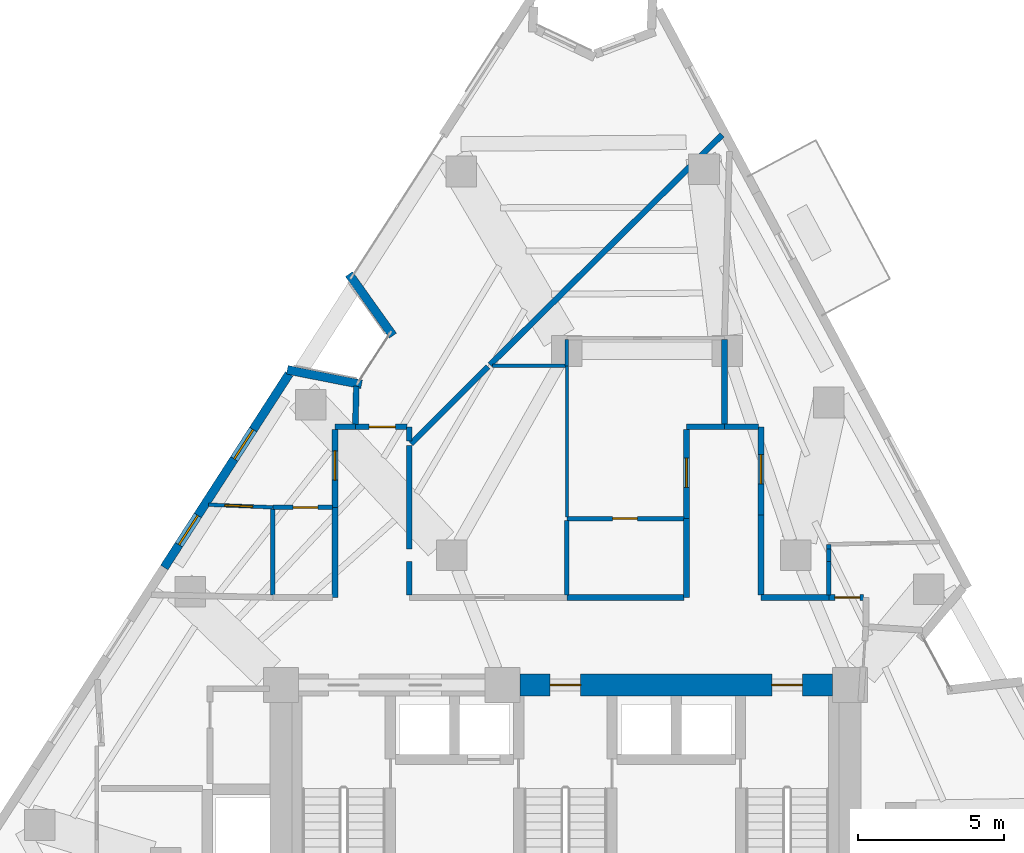
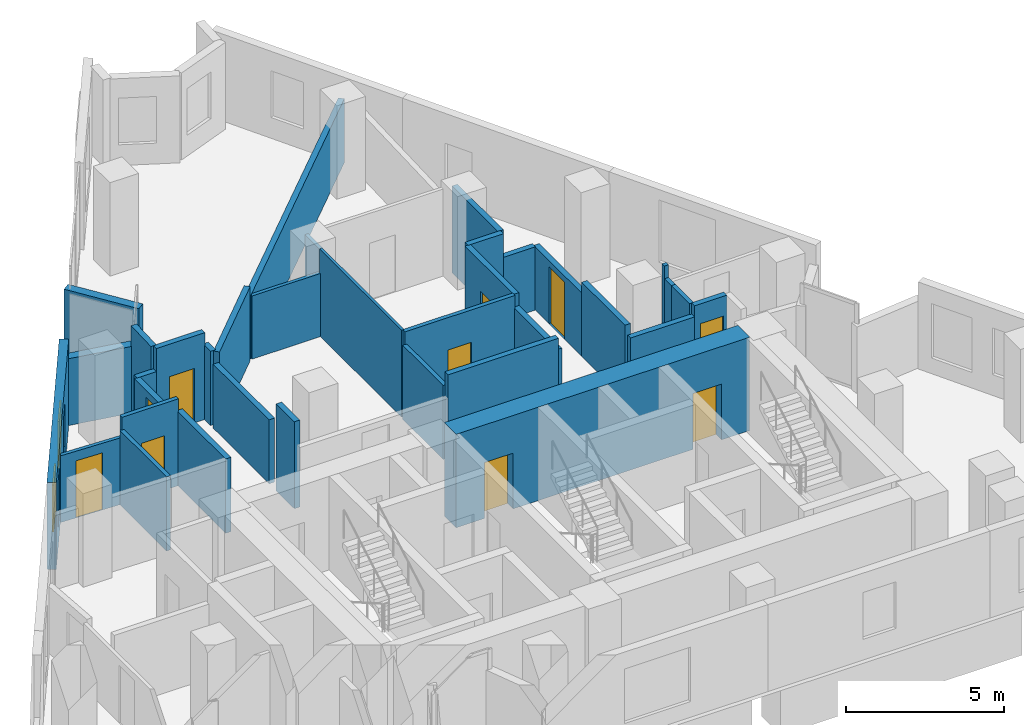
# One storey, part 8 of 11: 35 walls, 10 doors, 2 windows, 12 openings.
"""IFC4 building model written with IfcOpenShell, lengths in metres."""

from ifc_helpers import new_model, si_unit, direction, frame, frame_2d, origin, place, context, subcontext, project, spatial, rectangle, extrude, material, layer, layer_set, type_object, element, fill, save


model = new_model("IFC4")

# Units and contexts
model_context = context("Model", 3, precision=1e-05, world=origin(), true_north=direction((0.0, 1.0)))
body_context = subcontext(model_context, "Body", "Model", "MODEL_VIEW")
ifc_project = project(units=[si_unit("LENGTHUNIT", "METRE"), si_unit("AREAUNIT", "SQUARE_METRE"), si_unit("VOLUMEUNIT", "CUBIC_METRE"), si_unit("PLANEANGLEUNIT", "RADIAN"), si_unit("MASSUNIT", "GRAM", prefix="KILO")], contexts=[model_context])

# Site, building, storey
site_placement = place(None, origin())
site = spatial("IfcSite", under=ifc_project, at=site_placement, CompositionType="ELEMENT")
building_placement = place(site_placement, origin())
building = spatial("IfcBuilding", under=site, at=building_placement, Name="Almagre Mirador Tower", CompositionType="ELEMENT")
storey_placement = place(building_placement, frame((0.0, 0.0, 175.199951171875)))
storey = spatial("IfcBuildingStorey", under=building, at=storey_placement, Name="L45", CompositionType="ELEMENT", Elevation=175.199951171875)

# Walls
ifc_material_1 = material(Name="Precast concrete C50/60", Category="concrete")
ifc_layer_1 = layer(ifc_material_1, 0.300048828125)
ifc_layer_set_1 = layer_set([ifc_layer_1], Name="Precast concrete C50/60")
wall_type_1 = type_object("IfcWallType", Name="WAL-EXT-300", PredefinedType="SOLIDWALL", material=ifc_layer_set_1)
wall_1_placement = place(storey_placement, frame((27.7666015625, 25.554931640625, 0.0), z_axis=(0.0, 0.0, 1.0), x_axis=(0.981183938234, -0.193075320412, 0.0)))
element("IfcWall", 1, at=wall_1_placement, inside=storey, type_object=wall_type_1, Name="L45 expressed almagre precast frame wall 01", PredefinedType="SOLIDWALL", context=body_context, shape_type="SweptSolid", body=[
    extrude(rectangle(XDim=2.5947265625, YDim=0.300048828125, at=frame_2d((1.29736328125, 0.0))), origin(), (0.0, 0.0, 1.0), 2.574951171875),
])
wall_2_placement = place(storey_placement, frame((31.38818359375, 26.722900390625, 0.0), z_axis=(0.0, 0.0, 1.0), x_axis=(-0.580409797139, 0.814324546716, 0.0)))
element("IfcWall", 2, at=wall_2_placement, inside=storey, type_object=wall_type_1, Name="L45 expressed almagre precast frame wall 02", PredefinedType="SOLIDWALL", context=body_context, shape_type="SweptSolid", body=[
    extrude(rectangle(XDim=2.59375, YDim=0.300048828125, at=frame_2d((1.296875, 0.0))), origin(), (0.0, 0.0, 1.0), 2.574951171875),
])

# Wall, openings, windows
wall_3_placement = place(storey_placement, frame((23.550537109375, 18.7783203125, 0.0), z_axis=(0.0, 0.0, 1.0), x_axis=(0.542022645608, 0.840363880499, 0.0)))
wall_3 = element("IfcWall", 3, at=wall_3_placement, inside=storey, type_object=wall_type_1, Name="L45 expressed almagre precast frame wall 32", PredefinedType="SOLIDWALL", context=body_context, shape_type="SweptSolid", body=[
    extrude(rectangle(XDim=7.89697265625, YDim=0.300048828125, at=frame_2d((3.948486328125, 0.0))), origin(), (0.0, 0.0, 1.0), 3.35009765625),
])
opening_1_placement = place(wall_3_placement, frame((4.425048828125, 0.0, 0.800048828125)))
opening_1 = element("IfcOpeningElement", 4, at=opening_1_placement, cuts=wall_3, Name="Opening WN-04", PredefinedType="OPENING", context=body_context, shape_type="SweptSolid", body=[
    extrude(rectangle(XDim=1.199951171875, YDim=1.800048828125, at=frame_2d((0.60009765625, 0.89990234375))), frame((0.0, 0.159902, 0.0), z_axis=(0.0, -1.0, 0.0), x_axis=(1.0, 0.0, 0.0)), (0.0, 0.0, 1.0), 0.320049),
])
opening_2_placement = place(wall_3_placement, frame((0.925048828125, 0.0, 0.800048828125)))
opening_2 = element("IfcOpeningElement", 5, at=opening_2_placement, cuts=wall_3, Name="Opening WN-04", PredefinedType="OPENING", context=body_context, shape_type="SweptSolid", body=[
    extrude(rectangle(XDim=1.199951171875, YDim=1.800048828125, at=frame_2d((0.60009765625, 0.89990234375))), frame((0.0, 0.159902, 0.0), z_axis=(0.0, -1.0, 0.0), x_axis=(1.0, 0.0, 0.0)), (0.0, 0.0, 1.0), 0.320049),
])
ifc_material_2 = material(Name="Dark solar-control laminated hurricane glass", Category="glass")
window_type = type_object("IfcWindowType", Name="WIN-1200X1800", PartitioningType="SINGLE_PANEL", PredefinedType="WINDOW", material=ifc_material_2)
window_1_placement = place(opening_1_placement, origin())
window_1 = element("IfcWindow", 6, at=window_1_placement, inside=storey, type_object=window_type, Name="L45 recessed hurricane window L45-UD-ST", OverallHeight=1.800048828125, OverallWidth=1.199951171875, PartitioningType="SINGLE_PANEL", PredefinedType="WINDOW", context=body_context, shape_type="SweptSolid", body=[
    extrude(rectangle(XDim=1.199951171875, YDim=1.800048828125, at=frame_2d((0.60009765625, 0.89990234375))), frame((0.0, 0.030029296875, 0.0), z_axis=(0.0, -1.0, 0.0), x_axis=(1.0, 0.0, 0.0)), (0.0, 0.0, 1.0), 0.06005859375),
])
fill(opening_1, window_1)
window_2_placement = place(opening_2_placement, origin())
window_2 = element("IfcWindow", 7, at=window_2_placement, inside=storey, type_object=window_type, Name="L45 recessed hurricane window L45-UD-KT", OverallHeight=1.800048828125, OverallWidth=1.199951171875, PartitioningType="SINGLE_PANEL", PredefinedType="WINDOW", context=body_context, shape_type="SweptSolid", body=[
    extrude(rectangle(XDim=1.199951171875, YDim=1.800048828125, at=frame_2d((0.60009765625, 0.89990234375))), frame((0.0, 0.030029296875, 0.0), z_axis=(0.0, -1.0, 0.0), x_axis=(1.0, 0.0, 0.0)), (0.0, 0.0, 1.0), 0.06005859375),
])
fill(opening_2, window_2)

# Wall
ifc_material_3 = material(Name="Gypsum acoustic stud partition", Category="other")
ifc_layer_2 = layer(ifc_material_3, 0.10009765625)
ifc_layer_set_2 = layer_set([ifc_layer_2], Name="Gypsum acoustic stud partition")
wall_type_2 = type_object("IfcWallType", Name="WAL-PRT-100-CLS", PredefinedType="PARTITIONING", material=ifc_layer_set_2)
wall_4_placement = place(storey_placement, frame((37.35009765625, 25.68994140625, 0.0), z_axis=(0.0, 0.0, 1.0), x_axis=(0.0, -1.0, 0.0)))
element("IfcWall", 8, at=wall_4_placement, inside=storey, type_object=wall_type_2, Name="L45 interior partition 047", PredefinedType="PARTITIONING", context=body_context, shape_type="SweptSolid", body=[
    extrude(rectangle(XDim=5.179931640625, YDim=0.10009765625, at=frame_2d((2.58984375, 0.0))), origin(), (0.0, 0.0, 1.0), 3.35009765625),
])

# Wall, opening, door
ifc_material_4 = material(Name="Gypsum acoustic stud partition", Category="other")
ifc_layer_3 = layer(ifc_material_4, 0.125)
ifc_layer_set_3 = layer_set([ifc_layer_3], Name="Gypsum acoustic stud partition")
wall_type_3 = type_object("IfcWallType", Name="WAL-PRT-125-UTL", PredefinedType="PARTITIONING", material=ifc_layer_set_3)
wall_5_placement = place(storey_placement, frame((25.070068359375, 20.929931640625, 0.0), z_axis=(0.0, 0.0, 1.0), x_axis=(0.999167130741, -0.04080496106, 0.0)))
wall_5 = element("IfcWall", 9, at=wall_5_placement, inside=storey, type_object=wall_type_3, Name="L45 interior partition 041", PredefinedType="PARTITIONING", context=body_context, shape_type="SweptSolid", body=[
    extrude(rectangle(XDim=2.201904296875, YDim=0.125, at=frame_2d((1.10107421875, 0.0))), origin(), (0.0, 0.0, 1.0), 2.570068359375),
])
opening_3_placement = place(wall_5_placement, frame((0.560791015625, 0.0, 0.0)))
opening_3 = element("IfcOpeningElement", 10, at=opening_3_placement, cuts=wall_5, Name="Opening UD-01", PredefinedType="OPENING", context=body_context, shape_type="SweptSolid", body=[
    extrude(rectangle(XDim=0.949951171875, YDim=2.199951171875, at=frame_2d((0.47509765625, 1.10009765625))), frame((0.0, 0.0725, 0.0), z_axis=(0.0, -1.0, 0.0), x_axis=(1.0, 0.0, 0.0)), (0.0, 0.0, 1.0), 0.145),
])
ifc_material_5 = material(Name="Solid American walnut timber", Category="wood")
door_type_1 = type_object("IfcDoorType", Name="DOR-UNR-950X2200", OperationType="NOTDEFINED", PredefinedType="DOOR", material=ifc_material_5)
door_1_placement = place(opening_3_placement, origin())
door_1 = element("IfcDoor", 11, at=door_1_placement, inside=storey, type_object=door_type_1, Name="DR-1441 L45 interior door L45-UD-ST to L45-UD-KT", OperationType="SINGLE_SWING_RIGHT", OverallHeight=2.199951171875, OverallWidth=0.949951171875, PredefinedType="DOOR", context=body_context, shape_type="SweptSolid", body=[
    extrude(rectangle(XDim=0.949951171875, YDim=2.199951171875, at=frame_2d((0.47509765625, 1.10009765625))), frame((0.0, 0.02490234375, 0.0), z_axis=(0.0, -1.0, 0.0), x_axis=(1.0, 0.0, 0.0)), (0.0, 0.0, 1.0), 0.050048828125),
])
fill(opening_3, door_1)

# Walls
wall_6_placement = place(storey_placement, frame((37.35009765625, 26.592529296875, 0.0), z_axis=(0.0, 0.0, 1.0), x_axis=(0.0, -1.0, 0.0)))
element("IfcWall", 12, at=wall_6_placement, inside=storey, type_object=wall_type_3, Name="L45 interior partition 046", PredefinedType="PARTITIONING", context=body_context, shape_type="SweptSolid", body=[
    extrude(rectangle(XDim=0.902587890625, YDim=0.125, at=frame_2d((0.451171875, 0.0))), origin(), (0.0, 0.0, 1.0), 3.35009765625),
])
wall_7_placement = place(storey_placement, frame((34.81005859375, 25.68994140625, 0.0), z_axis=(0.0, 0.0, 1.0), x_axis=(1.0, 0.0, 0.0)))
element("IfcWall", 13, at=wall_7_placement, inside=storey, type_object=wall_type_3, Name="L45 interior partition 050", PredefinedType="PARTITIONING", context=body_context, shape_type="SweptSolid", body=[
    extrude(rectangle(XDim=2.492431640625, YDim=0.125, at=frame_2d((1.24609375, 0.0))), origin(), (0.0, 0.0, 1.0), 2.43603515625),
])

# Wall, opening, door
ifc_material_6 = material(Name="Gypsum acoustic stud partition", Category="other")
ifc_layer_4 = layer(ifc_material_6, 0.14990234375)
ifc_layer_set_4 = layer_set([ifc_layer_4], Name="Gypsum acoustic stud partition")
wall_type_4 = type_object("IfcWallType", Name="WAL-PRT-150-STD", PredefinedType="PARTITIONING", material=ifc_layer_set_4)
wall_8_placement = place(storey_placement, frame((27.27001953125, 20.840087890625, 0.0), z_axis=(0.0, 0.0, 1.0), x_axis=(1.0, 0.0, 0.0)))
wall_8 = element("IfcWall", 14, at=wall_8_placement, inside=storey, type_object=wall_type_4, Name="L45 interior partition 040", PredefinedType="PARTITIONING", context=body_context, shape_type="SweptSolid", body=[
    extrude(rectangle(XDim=2.044921875, YDim=0.14990234375, at=frame_2d((1.0224609375, 0.0))), origin(), (0.0, 0.0, 1.0), 3.35009765625),
])
opening_4_placement = place(wall_8_placement, frame((0.695556640625, 0.0, 0.0)))
opening_4 = element("IfcOpeningElement", 15, at=opening_4_placement, cuts=wall_8, Name="Opening UD-04", PredefinedType="OPENING", context=body_context, shape_type="SweptSolid", body=[
    extrude(rectangle(XDim=0.85009765625, YDim=2.10009765625, at=frame_2d((0.425048828125, 1.050048828125))), frame((0.0, 0.084951, 0.0), z_axis=(0.0, -1.0, 0.0), x_axis=(1.0, 0.0, 0.0)), (0.0, 0.0, 1.0), 0.169902),
])
ifc_material_7 = material(Name="Moisture-resistant oak timber", Category="wood")
door_type_2 = type_object("IfcDoorType", Name="DOR-UNR-850X2100", OperationType="NOTDEFINED", PredefinedType="DOOR", material=ifc_material_7)
door_2_placement = place(opening_4_placement, origin())
door_2 = element("IfcDoor", 16, at=door_2_placement, inside=storey, type_object=door_type_2, Name="DR-1442 L45 interior door L45-UD-ST to L45-UD-BT", OperationType="SINGLE_SWING_LEFT", OverallHeight=2.10009765625, OverallWidth=0.85009765625, PredefinedType="DOOR", context=body_context, shape_type="SweptSolid", body=[
    extrude(rectangle(XDim=0.85009765625, YDim=2.10009765625, at=frame_2d((0.425048828125, 1.050048828125))), frame((0.0, 0.02490234375, 0.0), z_axis=(0.0, -1.0, 0.0), x_axis=(1.0, 0.0, 0.0)), (0.0, 0.0, 1.0), 0.050048828125),
])
fill(opening_4, door_2)

# Wall
wall_9_placement = place(storey_placement, frame((27.27001953125, 20.780029296875, 0.0), z_axis=(0.0, 0.0, 1.0), x_axis=(0.0, -1.0, 0.0)))
element("IfcWall", 17, at=wall_9_placement, inside=storey, type_object=wall_type_4, Name="L45 interior partition 043", PredefinedType="PARTITIONING", context=body_context, shape_type="SweptSolid", body=[
    extrude(rectangle(XDim=2.945068359375, YDim=0.14990234375, at=frame_2d((1.47265625, 0.0))), origin(), (0.0, 0.0, 1.0), 2.860107421875),
])

# Wall, opening, door
wall_10_placement = place(storey_placement, frame((37.35009765625, 20.449951171875, 0.0), z_axis=(0.0, 0.0, 1.0), x_axis=(1.0, 0.0, 0.0)))
wall_10 = element("IfcWall", 18, at=wall_10_placement, inside=storey, type_object=wall_type_4, Name="L45 interior partition 044", PredefinedType="PARTITIONING", context=body_context, shape_type="SweptSolid", body=[
    extrude(rectangle(XDim=4.014892578125, YDim=0.14990234375, at=frame_2d((2.00732421875, 0.0))), origin(), (0.0, 0.0, 1.0), 3.35009765625),
])
opening_5_placement = place(wall_10_placement, frame((1.565673828125, 0.0, 0.0)))
opening_5 = element("IfcOpeningElement", 19, at=opening_5_placement, cuts=wall_10, Name="Opening UD-04", PredefinedType="OPENING", context=body_context, shape_type="SweptSolid", body=[
    extrude(rectangle(XDim=0.85009765625, YDim=2.10009765625, at=frame_2d((0.425048828125, 1.050048828125))), frame((0.0, 0.084951, 0.0), z_axis=(0.0, -1.0, 0.0), x_axis=(1.0, 0.0, 0.0)), (0.0, 0.0, 1.0), 0.169902),
])
door_3_placement = place(opening_5_placement, origin())
door_3 = element("IfcDoor", 20, at=door_3_placement, inside=storey, type_object=door_type_2, Name="DR-1445 L45 interior door L45-UE-ST to L45-UE-HB", OperationType="SINGLE_SWING_RIGHT", OverallHeight=2.10009765625, OverallWidth=0.85009765625, PredefinedType="DOOR", context=body_context, shape_type="SweptSolid", body=[
    extrude(rectangle(XDim=0.85009765625, YDim=2.10009765625, at=frame_2d((0.425048828125, 1.050048828125))), frame((0.0, 0.02490234375, 0.0), z_axis=(0.0, -1.0, 0.0), x_axis=(1.0, 0.0, 0.0)), (0.0, 0.0, 1.0), 0.050048828125),
])
fill(opening_5, door_3)

# Walls
wall_11_placement = place(storey_placement, frame((37.35009765625, 20.389892578125, 0.0), z_axis=(0.0, 0.0, 1.0), x_axis=(0.0, -1.0, 0.0)))
element("IfcWall", 21, at=wall_11_placement, inside=storey, type_object=wall_type_4, Name="L45 interior partition 049", PredefinedType="PARTITIONING", context=body_context, shape_type="SweptSolid", body=[
    extrude(rectangle(XDim=2.554931640625, YDim=0.14990234375, at=frame_2d((1.27734375, 0.0))), origin(), (0.0, 0.0, 1.0), 2.85302734375),
])
wall_12_placement = place(storey_placement, frame((46.330078125, 18.97998046875, 0.0), z_axis=(0.0, 0.0, 1.0), x_axis=(0.0, -1.0, 0.0)))
element("IfcWall", 22, at=wall_12_placement, inside=storey, type_object=wall_type_4, Name="L45 interior partition 057", PredefinedType="PARTITIONING", context=body_context, shape_type="SweptSolid", body=[
    extrude(rectangle(XDim=1.14501953125, YDim=0.14990234375, at=frame_2d((0.572509765625, 0.0))), origin(), (0.0, 0.0, 1.0), 2.860107421875),
])
wall_13_placement = place(storey_placement, frame((46.330078125, 19.570068359375, 0.0), z_axis=(0.0, 0.0, 1.0), x_axis=(0.0, -1.0, 0.0)))
element("IfcWall", 23, at=wall_13_placement, inside=storey, type_object=wall_type_4, Name="L45 interior partition 058", PredefinedType="PARTITIONING", context=body_context, shape_type="SweptSolid", body=[
    extrude(rectangle(XDim=0.150146484375, YDim=0.14990234375, at=frame_2d((0.0751953125, 0.0))), origin(), (0.0, 0.0, 1.0), 3.35009765625),
])
wall_14_placement = place(storey_placement, frame((46.330078125, 19.419921875, 0.0), z_axis=(0.0, 0.0, 1.0), x_axis=(0.0, -1.0, 0.0)))
element("IfcWall", 24, at=wall_14_placement, inside=storey, type_object=wall_type_4, Name="L45 interior partition 061", PredefinedType="PARTITIONING", context=body_context, shape_type="SweptSolid", body=[
    extrude(rectangle(XDim=0.43994140625, YDim=0.14990234375, at=frame_2d((0.219970703125, 0.0))), origin(), (0.0, 0.0, 1.0), 2.860107421875),
])
ifc_material_8 = material(Name="Gypsum acoustic stud partition", Category="other")
ifc_layer_5 = layer(ifc_material_8, 0.199951171875)
ifc_layer_set_5 = layer_set([ifc_layer_5], Name="Gypsum acoustic stud partition")
wall_type_5 = type_object("IfcWallType", Name="WAL-PRT-200-EI60", PredefinedType="PARTITIONING", material=ifc_layer_set_5)
wall_15_placement = place(storey_placement, frame((30.10009765625, 23.60009765625, 0.0), z_axis=(0.0, 0.0, 1.0), x_axis=(-1.0, 0.0, 0.0)))
element("IfcWall", 25, at=wall_15_placement, inside=storey, type_object=wall_type_5, Name="L45 interior partition 005", PredefinedType="PARTITIONING", context=body_context, shape_type="SweptSolid", body=[
    extrude(rectangle(XDim=0.7001953125, YDim=0.199951171875, at=frame_2d((0.35009765625, 0.0))), origin(), (0.0, 0.0, 1.0), 2.464111328125),
])

# Wall, opening, door
wall_16_placement = place(storey_placement, frame((29.39990234375, 23.514892578125, 0.0), z_axis=(0.0, 0.0, 1.0), x_axis=(0.0, -1.0, 0.0)))
wall_16 = element("IfcWall", 26, at=wall_16_placement, inside=storey, type_object=wall_type_5, Name="L45 interior partition 006", PredefinedType="PARTITIONING", context=body_context, shape_type="SweptSolid", body=[
    extrude(rectangle(XDim=2.6748046875, YDim=0.199951171875, at=frame_2d((1.33740234375, 0.0))), origin(), (0.0, 0.0, 1.0), 2.464111328125),
])
opening_6_placement = place(wall_16_placement, frame((0.738037109375, 0.0, 0.0)))
opening_6 = element("IfcOpeningElement", 27, at=opening_6_placement, cuts=wall_16, Name="Opening ID-01", PredefinedType="OPENING", context=body_context, shape_type="SweptSolid", body=[
    extrude(rectangle(XDim=1.0, YDim=2.199951171875, at=frame_2d((0.5, 1.10009765625))), frame((0.0, 0.110098, 0.0), z_axis=(0.0, -1.0, 0.0), x_axis=(1.0, 0.0, 0.0)), (0.0, 0.0, 1.0), 0.219951),
])
ifc_material_9 = material(Name="Fire-rated walnut timber", Category="wood")
door_type_3 = type_object("IfcDoorType", Name="DOR-FD60-1000X2200", OperationType="NOTDEFINED", PredefinedType="DOOR", material=ifc_material_9)
door_4_placement = place(opening_6_placement, origin())
door_4 = element("IfcDoor", 28, at=door_4_placement, inside=storey, type_object=door_type_3, Name="DR-1440 L45 interior door L45-RCOR to L45-UD-ST", OperationType="SINGLE_SWING_LEFT", OverallHeight=2.199951171875, OverallWidth=1.0, PredefinedType="DOOR", context=body_context, shape_type="SweptSolid", body=[
    extrude(rectangle(XDim=1.0, YDim=2.199951171875, at=frame_2d((0.5, 1.10009765625))), frame((0.0, 0.02490234375, 0.0), z_axis=(0.0, -1.0, 0.0), x_axis=(1.0, 0.0, 0.0)), (0.0, 0.0, 1.0), 0.050048828125),
])
fill(opening_6, door_4)

# Walls
wall_17_placement = place(storey_placement, frame((29.39990234375, 20.840087890625, 0.0), z_axis=(0.0, 0.0, 1.0), x_axis=(0.0, -1.0, 0.0)))
element("IfcWall", 29, at=wall_17_placement, inside=storey, type_object=wall_type_5, Name="L45 interior partition 007", PredefinedType="PARTITIONING", context=body_context, shape_type="SweptSolid", body=[
    extrude(rectangle(XDim=3.090087890625, YDim=0.199951171875, at=frame_2d((1.544921875, 0.0))), origin(), (0.0, 0.0, 1.0), 2.860107421875),
])
wall_18_placement = place(storey_placement, frame((42.75, 23.60009765625, 0.0), z_axis=(0.0, 0.0, 1.0), x_axis=(-1.0, 0.0, 0.0)))
element("IfcWall", 30, at=wall_18_placement, inside=storey, type_object=wall_type_5, Name="L45 interior partition 010", PredefinedType="PARTITIONING", context=body_context, shape_type="SweptSolid", body=[
    extrude(rectangle(XDim=1.300048828125, YDim=0.199951171875, at=frame_2d((0.64990234375, 0.0))), origin(), (0.0, 0.0, 1.0), 3.35009765625),
])

# Wall, opening, door
wall_19_placement = place(storey_placement, frame((41.449951171875, 23.514892578125, 0.0), z_axis=(0.0, 0.0, 1.0), x_axis=(0.0, -1.0, 0.0)))
wall_19 = element("IfcWall", 31, at=wall_19_placement, inside=storey, type_object=wall_type_5, Name="L45 interior partition 011", PredefinedType="PARTITIONING", context=body_context, shape_type="SweptSolid", body=[
    extrude(rectangle(XDim=3.06494140625, YDim=0.199951171875, at=frame_2d((1.532470703125, 0.0))), origin(), (0.0, 0.0, 1.0), 3.35009765625),
])
opening_7_placement = place(wall_19_placement, frame((0.989990234375, 0.0, 0.0)))
opening_7 = element("IfcOpeningElement", 32, at=opening_7_placement, cuts=wall_19, Name="Opening ID-01", PredefinedType="OPENING", context=body_context, shape_type="SweptSolid", body=[
    extrude(rectangle(XDim=1.0, YDim=2.199951171875, at=frame_2d((0.5, 1.10009765625))), frame((0.0, 0.110098, 0.0), z_axis=(0.0, -1.0, 0.0), x_axis=(1.0, 0.0, 0.0)), (0.0, 0.0, 1.0), 0.219951),
])
door_5_placement = place(opening_7_placement, origin())
door_5 = element("IfcDoor", 33, at=door_5_placement, inside=storey, type_object=door_type_3, Name="DR-1443 L45 interior door L45-RCOR to L45-UE-ST", OperationType="SINGLE_SWING_RIGHT", OverallHeight=2.199951171875, OverallWidth=1.0, PredefinedType="DOOR", context=body_context, shape_type="SweptSolid", body=[
    extrude(rectangle(XDim=1.0, YDim=2.199951171875, at=frame_2d((0.5, 1.10009765625))), frame((0.0, 0.02490234375, 0.0), z_axis=(0.0, -1.0, 0.0), x_axis=(1.0, 0.0, 0.0)), (0.0, 0.0, 1.0), 0.050048828125),
])
fill(opening_7, door_5)

# Walls
wall_20_placement = place(storey_placement, frame((41.449951171875, 20.449951171875, 0.0), z_axis=(0.0, 0.0, 1.0), x_axis=(0.0, -1.0, 0.0)))
element("IfcWall", 34, at=wall_20_placement, inside=storey, type_object=wall_type_5, Name="L45 interior partition 012", PredefinedType="PARTITIONING", context=body_context, shape_type="SweptSolid", body=[
    extrude(rectangle(XDim=2.699951171875, YDim=0.199951171875, at=frame_2d((1.35009765625, 0.0))), origin(), (0.0, 0.0, 1.0), 2.85302734375),
])
wall_21_placement = place(storey_placement, frame((41.364990234375, 17.75, 0.0), z_axis=(0.0, 0.0, 1.0), x_axis=(-1.0, 0.0, 0.0)))
element("IfcWall", 35, at=wall_21_placement, inside=storey, type_object=wall_type_5, Name="L45 interior partition 013", PredefinedType="PARTITIONING", context=body_context, shape_type="SweptSolid", body=[
    extrude(rectangle(XDim=4.014892578125, YDim=0.199951171875, at=frame_2d((2.00732421875, 0.0))), origin(), (0.0, 0.0, 1.0), 3.35009765625),
])
wall_22_placement = place(storey_placement, frame((31.949951171875, 17.8349609375, 0.0), z_axis=(0.0, 0.0, 1.0), x_axis=(0.0, 1.0, 0.0)))
element("IfcWall", 36, at=wall_22_placement, inside=storey, type_object=wall_type_5, Name="L45 interior partition 015", PredefinedType="PARTITIONING", context=body_context, shape_type="SweptSolid", body=[
    extrude(rectangle(XDim=1.14501953125, YDim=0.199951171875, at=frame_2d((0.572509765625, 0.0))), origin(), (0.0, 0.0, 1.0), 3.35009765625),
])
wall_23_placement = place(storey_placement, frame((31.949951171875, 19.419921875, 0.0), z_axis=(0.0, 0.0, 1.0), x_axis=(0.0, 1.0, 0.0)))
element("IfcWall", 37, at=wall_23_placement, inside=storey, type_object=wall_type_5, Name="L45 interior partition 016", PredefinedType="PARTITIONING", context=body_context, shape_type="SweptSolid", body=[
    extrude(rectangle(XDim=3.5400390625, YDim=0.199951171875, at=frame_2d((1.77001953125, 0.0))), origin(), (0.0, 0.0, 1.0), 2.464111328125),
])

# Wall, opening, door
wall_24_placement = place(storey_placement, frame((44.0, 20.570068359375, 0.0), z_axis=(0.0, 0.0, 1.0), x_axis=(0.0, 1.0, 0.0)))
wall_24 = element("IfcWall", 38, at=wall_24_placement, inside=storey, type_object=wall_type_5, Name="L45 interior partition 017", PredefinedType="PARTITIONING", context=body_context, shape_type="SweptSolid", body=[
    extrude(rectangle(XDim=3.030029296875, YDim=0.199951171875, at=frame_2d((1.51513671875, 0.0))), origin(), (0.0, 0.0, 1.0), 2.43603515625),
])
opening_8_placement = place(wall_24_placement, frame((1.0732421875, 0.0, 0.0)))
opening_8 = element("IfcOpeningElement", 39, at=opening_8_placement, cuts=wall_24, Name="Opening ID-01", PredefinedType="OPENING", context=body_context, shape_type="SweptSolid", body=[
    extrude(rectangle(XDim=1.0, YDim=2.199951171875, at=frame_2d((0.5, 1.10009765625))), frame((0.0, 0.110098, 0.0), z_axis=(0.0, -1.0, 0.0), x_axis=(1.0, 0.0, 0.0)), (0.0, 0.0, 1.0), 0.219951),
])
door_6_placement = place(opening_8_placement, origin())
door_6 = element("IfcDoor", 40, at=door_6_placement, inside=storey, type_object=door_type_3, Name="DR-1446 L45 interior door L45-RCOR to L45-UF-ST", OperationType="SINGLE_SWING_LEFT", OverallHeight=2.199951171875, OverallWidth=1.0, PredefinedType="DOOR", context=body_context, shape_type="SweptSolid", body=[
    extrude(rectangle(XDim=1.0, YDim=2.199951171875, at=frame_2d((0.5, 1.10009765625))), frame((0.0, 0.02490234375, 0.0), z_axis=(0.0, -1.0, 0.0), x_axis=(1.0, 0.0, 0.0)), (0.0, 0.0, 1.0), 0.050048828125),
])
fill(opening_8, door_6)

# Wall
wall_25_placement = place(storey_placement, frame((43.9150390625, 23.60009765625, 0.0), z_axis=(0.0, 0.0, 1.0), x_axis=(-1.0, 0.0, 0.0)))
element("IfcWall", 41, at=wall_25_placement, inside=storey, type_object=wall_type_5, Name="L45 interior partition 018", PredefinedType="PARTITIONING", context=body_context, shape_type="SweptSolid", body=[
    extrude(rectangle(XDim=1.1650390625, YDim=0.199951171875, at=frame_2d((0.58251953125, 0.0))), origin(), (0.0, 0.0, 1.0), 2.43603515625),
])

# Wall, opening, door
wall_26_placement = place(storey_placement, frame((47.514892578125, 17.75, 0.0), z_axis=(0.0, 0.0, 1.0), x_axis=(-1.0, 0.0, 0.0)))
wall_26 = element("IfcWall", 42, at=wall_26_placement, inside=storey, type_object=wall_type_5, Name="L45 interior partition 020", PredefinedType="PARTITIONING", context=body_context, shape_type="SweptSolid", body=[
    extrude(rectangle(XDim=1.184814453125, YDim=0.199951171875, at=frame_2d((0.59228515625, 0.0))), origin(), (0.0, 0.0, 1.0), 2.860107421875),
])
opening_9_placement = place(wall_26_placement, frame((0.125, 0.0, 0.0)))
opening_9 = element("IfcOpeningElement", 43, at=opening_9_placement, cuts=wall_26, Name="Opening ID-06", PredefinedType="OPENING", context=body_context, shape_type="SweptSolid", body=[
    extrude(rectangle(XDim=0.85009765625, YDim=2.10009765625, at=frame_2d((0.425048828125, 1.050048828125))), frame((0.0, 0.110098, 0.0), z_axis=(0.0, -1.0, 0.0), x_axis=(1.0, 0.0, 0.0)), (0.0, 0.0, 1.0), 0.219951),
])
ifc_material_10 = material(Name="Fire-rated hollow steel", Category="steel")
door_type_4 = type_object("IfcDoorType", Name="DOR-FD60-850X2100", OperationType="NOTDEFINED", PredefinedType="DOOR", material=ifc_material_10)
door_7_placement = place(opening_9_placement, origin())
door_7 = element("IfcDoor", 44, at=door_7_placement, inside=storey, type_object=door_type_4, Name="DR-1449 L45 interior door L45-RCOR to L45-UF-KT", OperationType="SINGLE_SWING_RIGHT", OverallHeight=2.10009765625, OverallWidth=0.85009765625, PredefinedType="DOOR", context=body_context, shape_type="SweptSolid", body=[
    extrude(rectangle(XDim=0.85009765625, YDim=2.10009765625, at=frame_2d((0.425048828125, 1.050048828125))), frame((0.0, 0.02490234375, 0.0), z_axis=(0.0, -1.0, 0.0), x_axis=(1.0, 0.0, 0.0)), (0.0, 0.0, 1.0), 0.050048828125),
])
fill(opening_9, door_7)

# Walls
wall_27_placement = place(storey_placement, frame((46.330078125, 17.75, 0.0), z_axis=(0.0, 0.0, 1.0), x_axis=(-1.0, 0.0, 0.0)))
element("IfcWall", 45, at=wall_27_placement, inside=storey, type_object=wall_type_5, Name="L45 interior partition 021", PredefinedType="PARTITIONING", context=body_context, shape_type="SweptSolid", body=[
    extrude(rectangle(XDim=2.330078125, YDim=0.199951171875, at=frame_2d((1.1650390625, 0.0))), origin(), (0.0, 0.0, 1.0), 2.43603515625),
])
wall_28_placement = place(storey_placement, frame((31.949951171875, 23.1201171875, 0.0), z_axis=(0.0, 0.0, 1.0), x_axis=(0.0, 1.0, 0.0)))
element("IfcWall", 46, at=wall_28_placement, inside=storey, type_object=wall_type_5, Name="L45 interior partition 023", PredefinedType="PARTITIONING", context=body_context, shape_type="SweptSolid", body=[
    extrude(rectangle(XDim=0.47998046875, YDim=0.199951171875, at=frame_2d((0.239990234375, 0.0))), origin(), (0.0, 0.0, 1.0), 2.860107421875),
])

# Wall, opening, door
wall_29_placement = place(storey_placement, frame((31.864990234375, 23.60009765625, 0.0), z_axis=(0.0, 0.0, 1.0), x_axis=(-1.0, 0.0, 0.0)))
wall_29 = element("IfcWall", 47, at=wall_29_placement, inside=storey, type_object=wall_type_5, Name="L45 interior partition 024", PredefinedType="PARTITIONING", context=body_context, shape_type="SweptSolid", body=[
    extrude(rectangle(XDim=1.764892578125, YDim=0.199951171875, at=frame_2d((0.88232421875, 0.0))), origin(), (0.0, 0.0, 1.0), 3.35009765625),
])
opening_10_placement = place(wall_29_placement, frame((0.389892578125, 0.0, 0.0)))
opening_10 = element("IfcOpeningElement", 48, at=opening_10_placement, cuts=wall_29, Name="Opening ID-03", PredefinedType="OPENING", context=body_context, shape_type="SweptSolid", body=[
    extrude(rectangle(XDim=0.89990234375, YDim=2.10009765625, at=frame_2d((0.449951171875, 1.050048828125))), frame((0.0, 0.110098, 0.0), z_axis=(0.0, -1.0, 0.0), x_axis=(1.0, 0.0, 0.0)), (0.0, 0.0, 1.0), 0.219951),
])
ifc_material_11 = material(Name="Fire-rated hollow steel", Category="steel")
door_type_5 = type_object("IfcDoorType", Name="DOR-FD60-900X2100", OperationType="NOTDEFINED", PredefinedType="DOOR", material=ifc_material_11)
door_8_placement = place(opening_10_placement, origin())
door_8 = element("IfcDoor", 49, at=door_8_placement, inside=storey, type_object=door_type_5, Name="DR-1435 L45 interior door L45-RCOR to L45-RST-G", OperationType="SINGLE_SWING_LEFT", OverallHeight=2.10009765625, OverallWidth=0.89990234375, PredefinedType="DOOR", context=body_context, shape_type="SweptSolid", body=[
    extrude(rectangle(XDim=0.89990234375, YDim=2.10009765625, at=frame_2d((0.449951171875, 1.050048828125))), frame((0.0, 0.02490234375, 0.0), z_axis=(0.0, -1.0, 0.0), x_axis=(1.0, 0.0, 0.0)), (0.0, 0.0, 1.0), 0.050048828125),
])
fill(opening_10, door_8)

# Walls
wall_30_placement = place(storey_placement, frame((30.101806640625, 23.68505859375, 0.0), z_axis=(0.0, 0.0, 1.0), x_axis=(0.024688450061, 0.999695193763, 0.0)))
element("IfcWall", 50, at=wall_30_placement, inside=storey, type_object=wall_type_5, Name="L45 interior partition 042", PredefinedType="PARTITIONING", context=body_context, shape_type="SweptSolid", body=[
    extrude(rectangle(XDim=1.305419921875, YDim=0.199951171875, at=frame_2d((0.65283203125, 0.0))), origin(), (0.0, 0.0, 1.0), 3.35009765625),
])
wall_31_placement = place(storey_placement, frame((42.75, 23.68505859375, 0.0), z_axis=(0.0, 0.0, 1.0), x_axis=(0.0, 1.0, 0.0)))
element("IfcWall", 51, at=wall_31_placement, inside=storey, type_object=wall_type_5, Name="L45 interior partition 048", PredefinedType="PARTITIONING", context=body_context, shape_type="SweptSolid", body=[
    extrude(rectangle(XDim=2.907470703125, YDim=0.199951171875, at=frame_2d((1.45361328125, 0.0))), origin(), (0.0, 0.0, 1.0), 3.35009765625),
])
wall_32_placement = place(storey_placement, frame((42.674072265625, 33.611083984375, 0.0), z_axis=(0.0, 0.0, 1.0), x_axis=(-0.710345403642, -0.703853257096, 0.0)))
element("IfcWall", 52, at=wall_32_placement, inside=storey, type_object=wall_type_5, Name="L45 interior partition 052", PredefinedType="PARTITIONING", context=body_context, shape_type="SweptSolid", body=[
    extrude(rectangle(XDim=11.20654296875, YDim=0.199951171875, at=frame_2d((5.603271484375, 0.0))), origin(), (0.0, 0.0, 1.0), 2.464111328125),
])
wall_33_placement = place(storey_placement, frame((34.646484375, 25.656494140625, 0.0), z_axis=(0.0, 0.0, 1.0), x_axis=(-0.707106781187, -0.707106781187, 0.0)))
element("IfcWall", 53, at=wall_33_placement, inside=storey, type_object=wall_type_5, Name="L45 interior partition 053", PredefinedType="PARTITIONING", context=body_context, shape_type="SweptSolid", body=[
    extrude(rectangle(XDim=3.728515625, YDim=0.199951171875, at=frame_2d((1.8642578125, 0.0))), origin(), (0.0, 0.0, 1.0), 2.860107421875),
])
wall_34_placement = place(storey_placement, frame((44.0, 17.8349609375, 0.0), z_axis=(0.0, 0.0, 1.0), x_axis=(0.0, 1.0, 0.0)))
element("IfcWall", 54, at=wall_34_placement, inside=storey, type_object=wall_type_5, Name="L45 interior partition 059", PredefinedType="PARTITIONING", context=body_context, shape_type="SweptSolid", body=[
    extrude(rectangle(XDim=2.735107421875, YDim=0.199951171875, at=frame_2d((1.36767578125, 0.0))), origin(), (0.0, 0.0, 1.0), 2.85302734375),
])

# Wall, openings, doors
ifc_material_12 = material(Name="Concrete C60/75", Category="concrete")
ifc_layer_6 = layer(ifc_material_12, 0.75)
ifc_layer_set_6 = layer_set([ifc_layer_6], Name="Concrete C60/75")
wall_type_6 = type_object("IfcWallType", Name="WAL-SHR-750", PredefinedType="SHEAR", material=ifc_layer_set_6)
wall_35_placement = place(storey_placement, frame((35.75, 14.75, 0.0), z_axis=(0.0, 0.0, 1.0), x_axis=(1.0, 0.0, 0.0)))
wall_35 = element("IfcWall", 55, at=wall_35_placement, inside=storey, type_object=wall_type_6, Name="L45 core shear wall N2", PredefinedType="SHEAR", context=body_context, shape_type="SweptSolid", body=[
    extrude(rectangle(XDim=10.699951171875, YDim=0.75, at=frame_2d((5.35009765625, 0.0))), origin(), (0.0, 0.0, 1.0), 3.60009765625),
])
opening_11_placement = place(wall_35_placement, frame((1.02490234375, 0.0, 0.0)))
opening_11 = element("IfcOpeningElement", 56, at=opening_11_placement, cuts=wall_35, Name="Opening SD-01", PredefinedType="OPENING", context=body_context, shape_type="SweptSolid", body=[
    extrude(rectangle(XDim=1.050048828125, YDim=2.14990234375, at=frame_2d((0.52490234375, 1.074951171875))), frame((0.0, 0.385, 0.0), z_axis=(0.0, -1.0, 0.0), x_axis=(1.0, 0.0, 0.0)), (0.0, 0.0, 1.0), 0.77),
])
opening_12_placement = place(wall_35_placement, frame((8.625, 0.0, 0.0)))
opening_12 = element("IfcOpeningElement", 57, at=opening_12_placement, cuts=wall_35, Name="Opening SD-01", PredefinedType="OPENING", context=body_context, shape_type="SweptSolid", body=[
    extrude(rectangle(XDim=1.050048828125, YDim=2.14990234375, at=frame_2d((0.52490234375, 1.074951171875))), frame((0.0, 0.385, 0.0), z_axis=(0.0, -1.0, 0.0), x_axis=(1.0, 0.0, 0.0)), (0.0, 0.0, 1.0), 0.77),
])
ifc_material_13 = material(Name="Fire-rated hollow steel", Category="steel")
door_type_6 = type_object("IfcDoorType", Name="DOR-ST-1050X2150", OperationType="NOTDEFINED", PredefinedType="DOOR", material=ifc_material_13)
door_9_placement = place(opening_11_placement, origin())
door_9 = element("IfcDoor", 58, at=door_9_placement, inside=storey, type_object=door_type_6, Name="DR-1455 L45 protected exit stair ST-2 door", OperationType="SINGLE_SWING_RIGHT", OverallHeight=2.14990234375, OverallWidth=1.050048828125, PredefinedType="DOOR", context=body_context, shape_type="SweptSolid", body=[
    extrude(rectangle(XDim=1.050048828125, YDim=2.14990234375, at=frame_2d((0.52490234375, 1.074951171875))), frame((0.0, 0.02490234375, 0.0), z_axis=(0.0, -1.0, 0.0), x_axis=(1.0, 0.0, 0.0)), (0.0, 0.0, 1.0), 0.050048828125),
])
fill(opening_11, door_9)
door_10_placement = place(opening_12_placement, origin())
door_10 = element("IfcDoor", 59, at=door_10_placement, inside=storey, type_object=door_type_6, Name="DR-1456 L45 protected exit stair ST-3 door", OperationType="SINGLE_SWING_LEFT", OverallHeight=2.14990234375, OverallWidth=1.050048828125, PredefinedType="DOOR", context=body_context, shape_type="SweptSolid", body=[
    extrude(rectangle(XDim=1.050048828125, YDim=2.14990234375, at=frame_2d((0.52490234375, 1.074951171875))), frame((0.0, 0.02490234375, 0.0), z_axis=(0.0, -1.0, 0.0), x_axis=(1.0, 0.0, 0.0)), (0.0, 0.0, 1.0), 0.050048828125),
])
fill(opening_12, door_10)

save(model, "model.ifc")
